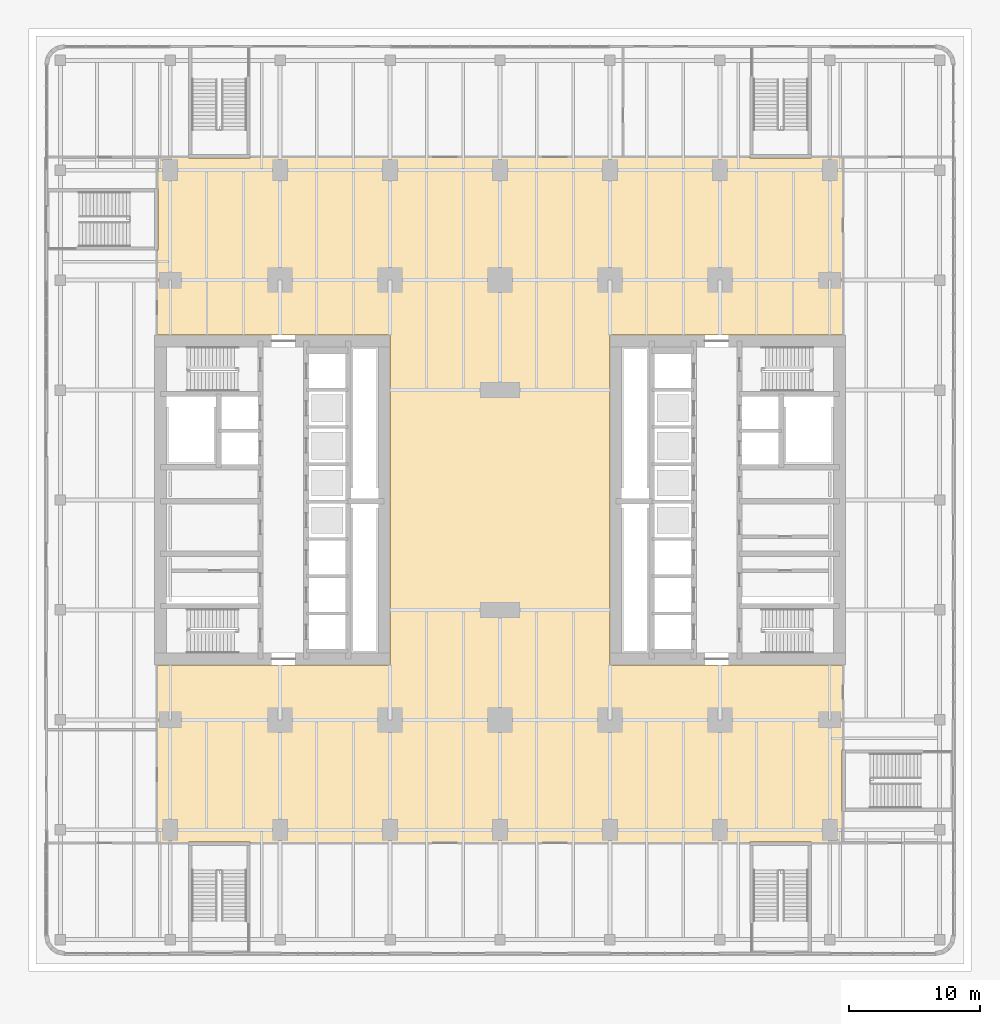
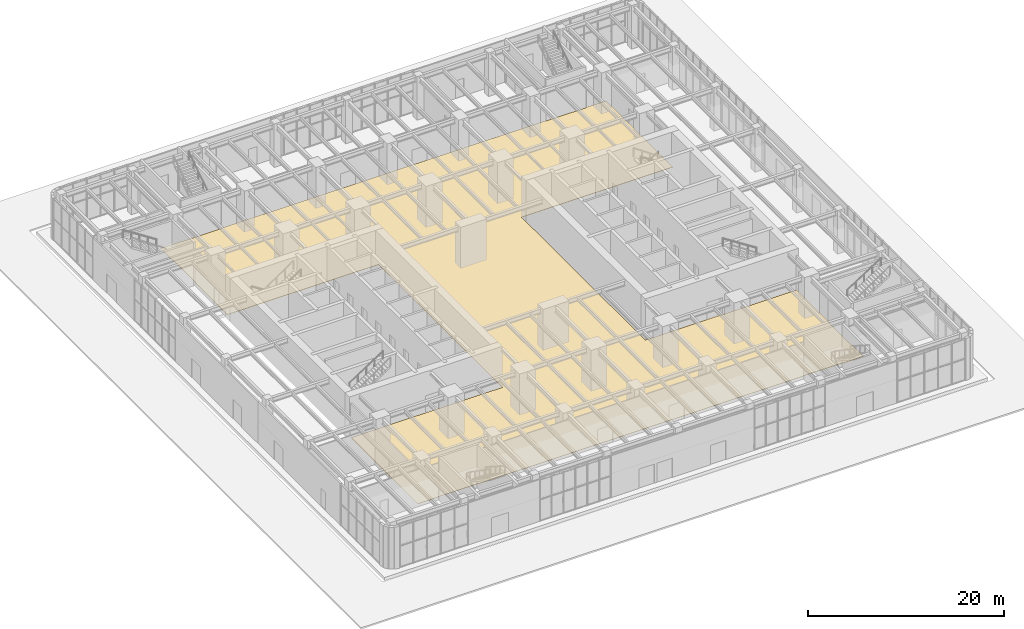
# One storey, part 28 of 31: 1 covering.
"""IFC4 building model written with IfcOpenShell, lengths in metres."""

from ifc_helpers import new_model, si_unit, direction, frame, origin, place, context, subcontext, project, spatial, polyline, outline, extrude, material, layer, layer_set, type_object, element, save


model = new_model("IFC4")

# Units and contexts
model_context = context("Model", 3, precision=1e-05, world=origin(), true_north=direction((0.0, 1.0)))
body_context = subcontext(model_context, "Body", "Model", "MODEL_VIEW")
ifc_project = project(units=[si_unit("LENGTHUNIT", "METRE"), si_unit("AREAUNIT", "SQUARE_METRE"), si_unit("VOLUMEUNIT", "CUBIC_METRE"), si_unit("PLANEANGLEUNIT", "RADIAN"), si_unit("MASSUNIT", "GRAM", prefix="KILO")], contexts=[model_context])

# Site, building, storey
site_placement = place(None, origin())
site = spatial("IfcSite", under=ifc_project, at=site_placement, CompositionType="ELEMENT")
building_placement = place(site_placement, origin())
building = spatial("IfcBuilding", under=site, at=building_placement, Name="Claustro Exchange Tower", CompositionType="ELEMENT")
storey_placement = place(building_placement, origin())
storey = spatial("IfcBuildingStorey", under=building, at=storey_placement, Name="L00", CompositionType="ELEMENT", Elevation=0.0)

# Covering
ifc_material = material(Name="Steel-encased raised floor panels on pedestals", Category="steel")
ifc_layer = layer(ifc_material, 0.0400390625)
ifc_layer_set = layer_set([ifc_layer], Name="Steel-encased raised floor panels on pedestals")
covering_type = type_object("IfcCoveringType", Name="RF1 300 raised access floor", PredefinedType="FLOORING", material=ifc_layer_set)
covering_placement = place(storey_placement, frame((0.0, 0.0, 0.260009765625)))
element("IfcCovering", 1, at=covering_placement, inside=storey, type_object=covering_type, Name="Raised access floor RF1 L00-06", PredefinedType="FLOORING", context=body_context, shape_type="SweptSolid", body=[
    extrude(outline(polyline([(16.800048828125, 37.800048828125), (16.800048828125, 12.60009765625), (-1.0, 12.60009765625), (-1.0, 7.64990234375), (-1.0, -1.0), (1.39990234375, -1.0), (1.39990234375, -0.949951171875), (6.10009765625, -0.949951171875), (6.10009765625, -1.0), (44.300048828125, -1.0), (44.300048828125, -0.949951171875), (49.0, -0.949951171875), (49.0, -1.0), (51.39990234375, -1.0), (51.39990234375, 1.39990234375), (51.35009765625, 1.39990234375), (51.35009765625, 6.10009765625), (51.39990234375, 6.10009765625), (51.39990234375, 12.60009765625), (33.60009765625, 12.60009765625), (33.60009765625, 37.800048828125), (51.39990234375, 37.800048828125), (51.39990234375, 51.39990234375), (49.0, 51.39990234375), (49.0, 51.35009765625), (44.300048828125, 51.35009765625), (44.300048828125, 51.39990234375), (34.60009765625, 51.39990234375), (6.10009765625, 51.39990234375), (6.10009765625, 51.35009765625), (1.39990234375, 51.35009765625), (1.39990234375, 51.39990234375), (-1.0, 51.39990234375), (-1.0, 49.0), (-0.949951171875, 49.0), (-0.949951171875, 44.300048828125), (-1.0, 44.300048828125), (-1.0, 37.800048828125), (16.800048828125, 37.800048828125)])), origin(), (0.0, 0.0, 1.0), 0.0400390625),
])

save(model, "model.ifc")
